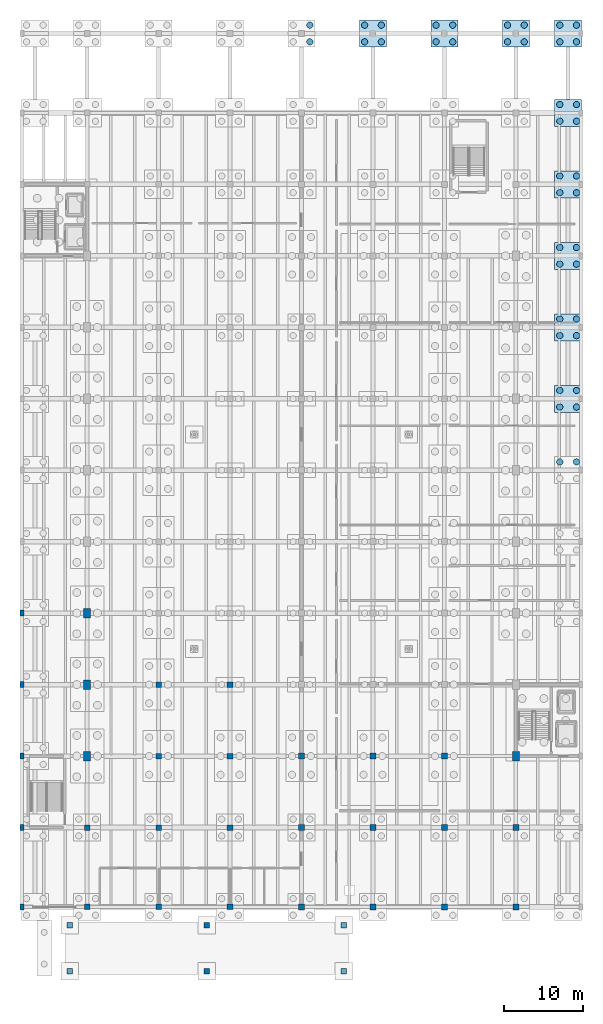
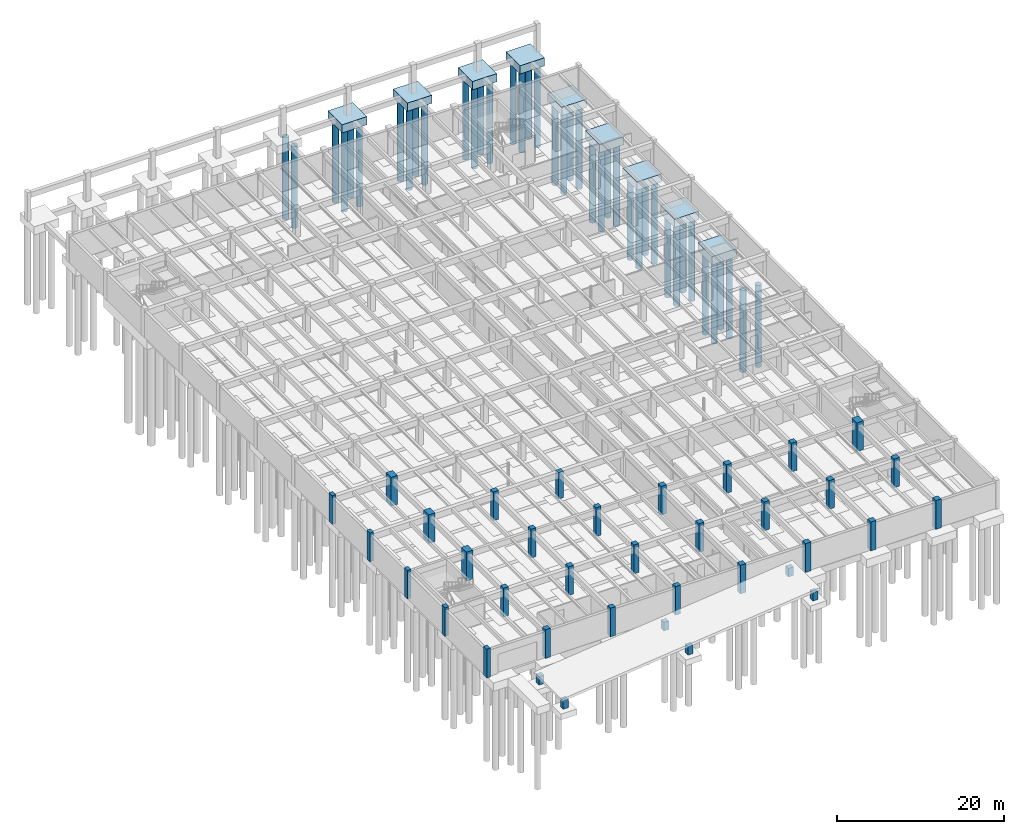
# One storey, part 5 of 23: 40 piles, 36 columns, 9 footings.
"""IFC4 building model written with IfcOpenShell, lengths in metres."""

from ifc_helpers import new_model, si_unit, direction, frame, origin, origin_2d, place, context, subcontext, project, spatial, polyline, rectangle, circle, outline, extrude, material, layer, layer_set, material_profile, profile_set, type_object, element, save


model = new_model("IFC4")

# Units and contexts
model_context = context("Model", 3, precision=1e-05, world=origin(), true_north=direction((0.0, 1.0)))
body_context = subcontext(model_context, "Body", "Model", "MODEL_VIEW")
ifc_project = project(units=[si_unit("LENGTHUNIT", "METRE"), si_unit("AREAUNIT", "SQUARE_METRE"), si_unit("VOLUMEUNIT", "CUBIC_METRE"), si_unit("PLANEANGLEUNIT", "RADIAN"), si_unit("MASSUNIT", "GRAM", prefix="KILO")], contexts=[model_context])

# Site, building, storey
site_placement = place(None, origin())
site = spatial("IfcSite", under=ifc_project, at=site_placement, CompositionType="ELEMENT")
building_placement = place(site_placement, origin())
building = spatial("IfcBuilding", under=site, at=building_placement, Name="Ornek Quay Market", CompositionType="ELEMENT")
storey_placement = place(building_placement, frame((0.0, 0.0, -4.199951171875)))
storey = spatial("IfcBuildingStorey", under=building, at=storey_placement, Name="B1", CompositionType="ELEMENT", Elevation=-4.199951171875)

# Footings
ifc_material_1 = material(Name="Concrete C35/45", Category="concrete")
ifc_layer = layer(ifc_material_1, 1.199951171875, Name="Concrete C35/45", Category="concrete")
ifc_layer_set = layer_set([ifc_layer], Name="Concrete C35/45")
footing_type = type_object("IfcFootingType", Name="FT-PC4-2800x2800x1200", PredefinedType="PILE_CAP", material=ifc_layer_set)
footing_1_placement = place(storey_placement, frame((0.0, 0.0, -1.199951171875)))
element("IfcFooting", 1, at=footing_1_placement, inside=storey, type_object=footing_type, Name="Pile cap FC-138", PredefinedType="PILE_CAP", context=body_context, shape_type="SweptSolid", body=[
    extrude(outline(polyline([(97.300048828125, 118.300048828125), (100.699951171875, 118.300048828125), (100.699951171875, 121.699951171875), (97.300048828125, 121.699951171875), (97.300048828125, 118.300048828125)])), origin(), (0.0, 0.0, 1.0), 1.199951171875),
])
footing_2_placement = place(storey_placement, frame((0.0, 0.0, -1.199951171875)))
element("IfcFooting", 2, at=footing_2_placement, inside=storey, type_object=footing_type, Name="Pile cap FC-151", PredefinedType="PILE_CAP", context=body_context, shape_type="SweptSolid", body=[
    extrude(outline(polyline([(106.300048828125, 118.300048828125), (109.699951171875, 118.300048828125), (109.699951171875, 121.699951171875), (106.300048828125, 121.699951171875), (106.300048828125, 118.300048828125)])), origin(), (0.0, 0.0, 1.0), 1.199951171875),
])
footing_3_placement = place(storey_placement, frame((0.0, 0.0, -1.199951171875)))
element("IfcFooting", 3, at=footing_3_placement, inside=storey, type_object=footing_type, Name="Pile cap FC-162", PredefinedType="PILE_CAP", context=body_context, shape_type="SweptSolid", body=[
    extrude(outline(polyline([(115.300048828125, 118.300048828125), (118.699951171875, 118.300048828125), (118.699951171875, 121.699951171875), (115.300048828125, 121.699951171875), (115.300048828125, 118.300048828125)])), origin(), (0.0, 0.0, 1.0), 1.199951171875),
])
footing_4_placement = place(storey_placement, frame((0.0, 0.0, -1.199951171875)))
element("IfcFooting", 4, at=footing_4_placement, inside=storey, type_object=footing_type, Name="Pile cap FC-168", PredefinedType="PILE_CAP", context=body_context, shape_type="SweptSolid", body=[
    extrude(outline(polyline([(121.8798828125, 72.300048828125), (125.280029296875, 72.300048828125), (125.280029296875, 75.699951171875), (121.8798828125, 75.699951171875), (121.8798828125, 72.300048828125)])), origin(), (0.0, 0.0, 1.0), 1.199951171875),
])
footing_5_placement = place(storey_placement, frame((0.0, 0.0, -1.199951171875)))
element("IfcFooting", 5, at=footing_5_placement, inside=storey, type_object=footing_type, Name="Pile cap FC-169", PredefinedType="PILE_CAP", context=body_context, shape_type="SweptSolid", body=[
    extrude(outline(polyline([(121.8798828125, 81.300048828125), (125.280029296875, 81.300048828125), (125.280029296875, 84.699951171875), (121.8798828125, 84.699951171875), (121.8798828125, 81.300048828125)])), origin(), (0.0, 0.0, 1.0), 1.199951171875),
])
footing_6_placement = place(storey_placement, frame((0.0, 0.0, -1.199951171875)))
element("IfcFooting", 6, at=footing_6_placement, inside=storey, type_object=footing_type, Name="Pile cap FC-170", PredefinedType="PILE_CAP", context=body_context, shape_type="SweptSolid", body=[
    extrude(outline(polyline([(121.8798828125, 90.300048828125), (125.280029296875, 90.300048828125), (125.280029296875, 93.699951171875), (121.8798828125, 93.699951171875), (121.8798828125, 90.300048828125)])), origin(), (0.0, 0.0, 1.0), 1.199951171875),
])
footing_7_placement = place(storey_placement, frame((0.0, 0.0, -1.199951171875)))
element("IfcFooting", 7, at=footing_7_placement, inside=storey, type_object=footing_type, Name="Pile cap FC-171", PredefinedType="PILE_CAP", context=body_context, shape_type="SweptSolid", body=[
    extrude(outline(polyline([(121.8798828125, 99.300048828125), (125.280029296875, 99.300048828125), (125.280029296875, 102.699951171875), (121.8798828125, 102.699951171875), (121.8798828125, 99.300048828125)])), origin(), (0.0, 0.0, 1.0), 1.199951171875),
])
footing_8_placement = place(storey_placement, frame((0.0, 0.0, -1.199951171875)))
element("IfcFooting", 8, at=footing_8_placement, inside=storey, type_object=footing_type, Name="Pile cap FC-172", PredefinedType="PILE_CAP", context=body_context, shape_type="SweptSolid", body=[
    extrude(outline(polyline([(121.8798828125, 108.300048828125), (125.280029296875, 108.300048828125), (125.280029296875, 111.699951171875), (121.8798828125, 111.699951171875), (121.8798828125, 108.300048828125)])), origin(), (0.0, 0.0, 1.0), 1.199951171875),
])
footing_9_placement = place(storey_placement, frame((0.0, 0.0, -1.199951171875)))
element("IfcFooting", 9, at=footing_9_placement, inside=storey, type_object=footing_type, Name="Pile cap FC-173", PredefinedType="PILE_CAP", context=body_context, shape_type="SweptSolid", body=[
    extrude(outline(polyline([(121.8798828125, 118.300048828125), (125.280029296875, 118.300048828125), (125.280029296875, 121.699951171875), (121.8798828125, 121.699951171875), (121.8798828125, 118.300048828125)])), origin(), (0.0, 0.0, 1.0), 1.199951171875),
])

# Piles
ifc_material_profile_1 = material_profile(ifc_material_1, circle(Radius=0.39990234375, at=origin_2d()), Name="PILE D800", Category="concrete")
ifc_profile_set_1 = profile_set([ifc_material_profile_1], Name="Concrete C35/45")
pile_type = type_object("IfcPileType", Name="PL-BOR-D800-L12", PredefinedType="BORED", material=ifc_profile_set_1)
for number, where, z_axis, x_axis, name in (
    (10, (91.050048828125, 118.949951171875, -1.10009765625), (0.0, 0.0, -1.0), (1.0, 0.0, 0.0), "Bored pile P-0546"),
    (11, (91.050048828125, 121.050048828125, -1.10009765625), (0.0, 0.0, -1.0), (1.0, 0.0, 0.0), "Bored pile P-0548"),
    (12, (97.949951171875, 118.949951171875, -1.10009765625), (0.0, 0.0, -1.0), (1.0, 0.0, 0.0), "Bored pile P-0591"),
    (13, (100.050048828125, 118.949951171875, -1.10009765625), (0.0, 0.0, -1.0), (1.0, 0.0, 0.0), "Bored pile P-0592"),
    (14, (97.949951171875, 121.050048828125, -1.10009765625), (0.0, 0.0, -1.0), (1.0, 0.0, 0.0), "Bored pile P-0593"),
    (15, (100.050048828125, 121.050048828125, -1.10009765625), (0.0, 0.0, -1.0), (1.0, 0.0, 0.0), "Bored pile P-0594"),
    (16, (106.949951171875, 118.949951171875, -1.10009765625), (0.0, 0.0, -1.0), (1.0, 0.0, 0.0), "Bored pile P-0659"),
    (17, (109.050048828125, 118.949951171875, -1.10009765625), (0.0, 0.0, -1.0), (1.0, 0.0, 0.0), "Bored pile P-0660"),
    (18, (106.949951171875, 121.050048828125, -1.10009765625), (0.0, 0.0, -1.0), (1.0, 0.0, 0.0), "Bored pile P-0661"),
    (19, (109.050048828125, 121.050048828125, -1.10009765625), (0.0, 0.0, -1.0), (1.0, 0.0, 0.0), "Bored pile P-0662"),
    (20, (115.949951171875, 118.949951171875, -1.10009765625), (0.0, 0.0, -1.0), (1.0, 0.0, 0.0), "Bored pile P-0715"),
    (21, (118.050048828125, 118.949951171875, -1.10009765625), (0.0, 0.0, -1.0), (1.0, 0.0, 0.0), "Bored pile P-0716"),
    (22, (115.949951171875, 121.050048828125, -1.10009765625), (0.0, 0.0, -1.0), (1.0, 0.0, 0.0), "Bored pile P-0717"),
    (23, (118.050048828125, 121.050048828125, -1.10009765625), (0.0, 0.0, -1.0), (1.0, 0.0, 0.0), "Bored pile P-0718"),
    (24, (122.530029296875, 66.050048828125, -1.10009765625), (0.0, 0.0, -1.0), (1.0, 0.0, 0.0), "Bored pile P-0737"),
    (25, (124.6298828125, 66.050048828125, -1.10009765625), (0.0, 0.0, -1.0), (1.0, 0.0, 0.0), "Bored pile P-0738"),
    (26, (122.530029296875, 72.949951171875, -1.10009765625), (0.0, 0.0, -1.0), (1.0, 0.0, 0.0), "Bored pile P-0739"),
    (27, (124.6298828125, 72.949951171875, -1.10009765625), (0.0, 0.0, -1.0), (1.0, 0.0, 0.0), "Bored pile P-0740"),
    (28, (122.530029296875, 75.050048828125, -1.10009765625), (0.0, 0.0, -1.0), (1.0, 0.0, 0.0), "Bored pile P-0741"),
    (29, (124.6298828125, 75.050048828125, -1.10009765625), (0.0, 0.0, -1.0), (1.0, 0.0, 0.0), "Bored pile P-0742"),
    (30, (122.530029296875, 81.949951171875, -1.10009765625), (0.0, 0.0, -1.0), (1.0, 0.0, 0.0), "Bored pile P-0743"),
    (31, (124.6298828125, 81.949951171875, -1.10009765625), (0.0, 0.0, -1.0), (1.0, 0.0, 0.0), "Bored pile P-0744"),
    (32, (122.530029296875, 84.050048828125, -1.10009765625), (0.0, 0.0, -1.0), (1.0, 0.0, 0.0), "Bored pile P-0745"),
    (33, (124.6298828125, 84.050048828125, -1.10009765625), (0.0, 0.0, -1.0), (1.0, 0.0, 0.0), "Bored pile P-0746"),
    (34, (122.530029296875, 90.949951171875, -1.10009765625), (0.0, 0.0, -1.0), (1.0, 0.0, 0.0), "Bored pile P-0747"),
    (35, (124.6298828125, 90.949951171875, -1.10009765625), (0.0, 0.0, -1.0), (1.0, 0.0, 0.0), "Bored pile P-0748"),
    (36, (122.530029296875, 93.050048828125, -1.10009765625), (0.0, 0.0, -1.0), (1.0, 0.0, 0.0), "Bored pile P-0749"),
    (37, (124.6298828125, 93.050048828125, -1.10009765625), (0.0, 0.0, -1.0), (1.0, 0.0, 0.0), "Bored pile P-0750"),
    (38, (122.530029296875, 99.949951171875, -1.10009765625), (0.0, 0.0, -1.0), (1.0, 0.0, 0.0), "Bored pile P-0751"),
    (39, (124.6298828125, 99.949951171875, -1.10009765625), (0.0, 0.0, -1.0), (1.0, 0.0, 0.0), "Bored pile P-0752"),
    (40, (122.530029296875, 102.050048828125, -1.10009765625), (0.0, 0.0, -1.0), (1.0, 0.0, 0.0), "Bored pile P-0753"),
    (41, (124.6298828125, 102.050048828125, -1.10009765625), (0.0, 0.0, -1.0), (1.0, 0.0, 0.0), "Bored pile P-0754"),
    (42, (122.530029296875, 108.949951171875, -1.10009765625), (0.0, 0.0, -1.0), (1.0, 0.0, 0.0), "Bored pile P-0755"),
    (43, (124.6298828125, 108.949951171875, -1.10009765625), (0.0, 0.0, -1.0), (1.0, 0.0, 0.0), "Bored pile P-0756"),
    (44, (122.530029296875, 111.050048828125, -1.10009765625), (0.0, 0.0, -1.0), (1.0, 0.0, 0.0), "Bored pile P-0757"),
    (45, (124.6298828125, 111.050048828125, -1.10009765625), (0.0, 0.0, -1.0), (1.0, 0.0, 0.0), "Bored pile P-0758"),
    (46, (122.530029296875, 118.949951171875, -1.10009765625), (0.0, 0.0, -1.0), (1.0, 0.0, 0.0), "Bored pile P-0759"),
    (47, (124.6298828125, 118.949951171875, -1.10009765625), (0.0, 0.0, -1.0), (1.0, 0.0, 0.0), "Bored pile P-0760"),
    (48, (122.530029296875, 121.050048828125, -1.10009765625), (0.0, 0.0, -1.0), (1.0, 0.0, 0.0), "Bored pile P-0761"),
    (49, (124.6298828125, 121.050048828125, -1.10009765625), (0.0, 0.0, -1.0), (1.0, 0.0, 0.0), "Bored pile P-0762"),
):
    element("IfcPile", number, at=place(storey_placement, frame(where, z_axis=z_axis, x_axis=x_axis)), inside=storey, type_object=pile_type, Name=name, PredefinedType="BORED", context=body_context, shape_type="SweptSolid", body=[
        extrude(circle(Radius=0.39990234375, at=origin_2d()), origin(), (0.0, 0.0, 1.0), 12.0),
    ])

# Columns
ifc_material_2 = material(Name="Concrete C45/55", Category="concrete")
ifc_material_profile_2 = material_profile(ifc_material_2, rectangle(XDim=0.89990234375, YDim=1.199951171875, at=origin_2d()), Name="RC 900x1200", Category="concrete")
ifc_profile_set_2 = profile_set([ifc_material_profile_2], Name="Concrete C45/55")
column_type_1 = type_object("IfcColumnType", Name="COL-ARCH-900x1200", PredefinedType="COLUMN", material=ifc_profile_set_2)
for number, where, z_axis, x_axis, name in (
    (50, (63.0, 29.0, 0.0), (0.0, 0.0, 1.0), (1.0, 0.0, 0.0), "Column C-AR1-001"),
    (51, (63.0, 38.0, 0.0), (0.0, 0.0, 1.0), (1.0, 0.0, 0.0), "Column C-AR1-005"),
    (52, (63.0, 47.0, 0.0), (0.0, 0.0, 1.0), (1.0, 0.0, 0.0), "Column C-AR1-006"),
    (53, (117.0, 29.0, 0.0), (0.0, 0.0, 1.0), (1.0, 0.0, 0.0), "Column C-AR1-015"),
):
    element("IfcColumn", number, at=place(storey_placement, frame(where, z_axis=z_axis, x_axis=x_axis)), inside=storey, type_object=column_type_1, Name=name, PredefinedType="COLUMN", context=body_context, shape_type="SweptSolid", body=[
        extrude(rectangle(XDim=0.89990234375, YDim=1.199951171875, at=origin_2d()), origin(), (0.0, 0.0, 1.0), 4.199951171875),
    ])
ifc_material_3 = material(Name="Concrete C40/50", Category="concrete")
ifc_material_profile_3 = material_profile(ifc_material_3, rectangle(XDim=0.699951171875, YDim=0.699951171875, at=origin_2d()), Name="RC 700x700", Category="concrete")
ifc_profile_set_3 = profile_set([ifc_material_profile_3], Name="Concrete C40/50")
column_type_2 = type_object("IfcColumnType", Name="COL-B1-700x700", PredefinedType="COLUMN", material=ifc_profile_set_3)
for number, where, z_axis, x_axis, name in (
    (54, (63.0, 10.0, 0.0), (0.0, 0.0, 1.0), (1.0, 0.0, 0.0), "Column C-B1B-001"),
    (55, (63.0, 20.0, 0.0), (0.0, 0.0, 1.0), (1.0, 0.0, 0.0), "Column C-B1B-002"),
    (56, (72.0, 10.0, 0.0), (0.0, 0.0, 1.0), (1.0, 0.0, 0.0), "Column C-B1B-006"),
    (57, (72.0, 20.0, 0.0), (0.0, 0.0, 1.0), (1.0, 0.0, 0.0), "Column C-B1B-007"),
    (58, (72.0, 29.0, 0.0), (0.0, 0.0, 1.0), (1.0, 0.0, 0.0), "Column C-B1B-008"),
    (59, (72.0, 38.0, 0.0), (0.0, 0.0, 1.0), (1.0, 0.0, 0.0), "Column C-B1B-009"),
    (60, (81.0, 10.0, 0.0), (0.0, 0.0, 1.0), (1.0, 0.0, 0.0), "Column C-B1B-019"),
    (61, (81.0, 20.0, 0.0), (0.0, 0.0, 1.0), (1.0, 0.0, 0.0), "Column C-B1B-020"),
    (62, (81.0, 29.0, 0.0), (0.0, 0.0, 1.0), (1.0, 0.0, 0.0), "Column C-B1B-021"),
):
    element("IfcColumn", number, at=place(storey_placement, frame(where, z_axis=z_axis, x_axis=x_axis)), inside=storey, type_object=column_type_2, Name=name, PredefinedType="COLUMN", context=body_context, shape_type="SweptSolid", body=[
        extrude(rectangle(XDim=0.699951171875, YDim=0.699951171875, at=origin_2d()), origin(), (0.0, 0.0, 1.0), 4.199951171875),
    ])
column_placement = place(storey_placement, frame((81.0, 38.0, 0.0), z_axis=(0.0, 0.0, 1.0), x_axis=(1.0, 0.0, 0.0)))
element("IfcColumn", 63, at=column_placement, inside=storey, type_object=column_type_2, Name="Column C-B1B-022", PredefinedType="COLUMN", context=body_context, shape_type="SweptSolid", body=[
    extrude(rectangle(XDim=0.699951171875, YDim=0.699951171875, at=origin_2d()), origin(), (0.0, 0.0, 1.0), 3.85986328125),
])
for number, where, z_axis, x_axis, name in (
    (64, (60.800048828125, 1.89990234375, -1.72998046875), (0.0, 0.0, 1.0), (1.0, 0.0, 0.0), "Vehicle ramp support pier CRV-01"),
    (65, (60.800048828125, 7.699951171875, -1.72998046875), (0.0, 0.0, 1.0), (1.0, 0.0, 0.0), "Vehicle ramp support pier CRV-02"),
    (66, (78.050048828125, 1.89990234375, 0.1298828125), (0.0, 0.0, 1.0), (1.0, 0.0, 0.0), "Vehicle ramp support pier CRV-03"),
    (67, (78.050048828125, 7.699951171875, 0.1298828125), (0.0, 0.0, 1.0), (1.0, 0.0, 0.0), "Vehicle ramp support pier CRV-04"),
    (68, (95.300048828125, 1.89990234375, 1.989990234375), (0.0, 0.0, 1.0), (1.0, 0.0, 0.0), "Vehicle ramp support pier CRV-05"),
    (69, (95.300048828125, 7.699951171875, 1.989990234375), (0.0, 0.0, 1.0), (1.0, 0.0, 0.0), "Vehicle ramp support pier CRV-06"),
):
    element("IfcColumn", number, at=place(storey_placement, frame(where, z_axis=z_axis, x_axis=x_axis)), inside=storey, type_object=column_type_2, Name=name, PredefinedType="COLUMN", context=body_context, shape_type="SweptSolid", body=[
        extrude(rectangle(XDim=0.699951171875, YDim=0.699951171875, at=origin_2d()), origin(), (0.0, 0.0, 1.0), 1.25),
    ])
ifc_material_profile_4 = material_profile(ifc_material_3, rectangle(XDim=0.75, YDim=0.75, at=origin_2d()), Name="RC 750x750", Category="concrete")
ifc_profile_set_4 = profile_set([ifc_material_profile_4], Name="Concrete C40/50")
column_type_3 = type_object("IfcColumnType", Name="COL-B1-750x750", PredefinedType="COLUMN", material=ifc_profile_set_4)
for number, where, z_axis, x_axis, name in (
    (70, (90.0, 10.0, 0.0), (0.0, 0.0, 1.0), (1.0, 0.0, 0.0), "Column C-B1A-001"),
    (71, (90.0, 20.0, 0.0), (0.0, 0.0, 1.0), (1.0, 0.0, 0.0), "Column C-B1A-002"),
    (72, (90.0, 29.0, 0.0), (0.0, 0.0, 1.0), (1.0, 0.0, 0.0), "Column C-B1A-003"),
    (73, (99.0, 10.0, 0.0), (0.0, 0.0, 1.0), (1.0, 0.0, 0.0), "Column C-B1A-013"),
    (74, (99.0, 20.0, 0.0), (0.0, 0.0, 1.0), (1.0, 0.0, 0.0), "Column C-B1A-014"),
    (75, (99.0, 29.0, 0.0), (0.0, 0.0, 1.0), (1.0, 0.0, 0.0), "Column C-B1A-015"),
    (76, (108.0, 10.0, 0.0), (0.0, 0.0, 1.0), (1.0, 0.0, 0.0), "Column C-B1A-025"),
    (77, (108.0, 20.0, 0.0), (0.0, 0.0, 1.0), (1.0, 0.0, 0.0), "Column C-B1A-026"),
    (78, (108.0, 29.0, 0.0), (0.0, 0.0, 1.0), (1.0, 0.0, 0.0), "Column C-B1A-027"),
    (79, (117.0, 10.0, 0.0), (0.0, 0.0, 1.0), (1.0, 0.0, 0.0), "Column C-B1A-037"),
    (80, (117.0, 20.0, 0.0), (0.0, 0.0, 1.0), (1.0, 0.0, 0.0), "Column C-B1A-038"),
):
    element("IfcColumn", number, at=place(storey_placement, frame(where, z_axis=z_axis, x_axis=x_axis)), inside=storey, type_object=column_type_3, Name=name, PredefinedType="COLUMN", context=body_context, shape_type="SweptSolid", body=[
        extrude(rectangle(XDim=0.75, YDim=0.75, at=origin_2d()), origin(), (0.0, 0.0, 1.0), 4.199951171875),
    ])
ifc_material_profile_5 = material_profile(ifc_material_3, rectangle(XDim=0.5, YDim=0.75, at=origin_2d()), Name="RC 500x750", Category="concrete")
ifc_profile_set_5 = profile_set([ifc_material_profile_5], Name="Concrete C40/50")
column_type_4 = type_object("IfcColumnType", Name="COL-MJ-500x750", PredefinedType="COLUMN", material=ifc_profile_set_5)
for number, where, z_axis, x_axis, name in (
    (81, (54.800048828125, 10.0, 0.0), (0.0, 0.0, 1.0), (1.0, 0.0, 0.0), "Column C-MJ1-006"),
    (82, (54.800048828125, 20.0, 0.0), (0.0, 0.0, 1.0), (1.0, 0.0, 0.0), "Column C-MJ1-008"),
    (83, (54.800048828125, 29.0, 0.0), (0.0, 0.0, 1.0), (1.0, 0.0, 0.0), "Column C-MJ1-010"),
    (84, (54.800048828125, 38.0, 0.0), (0.0, 0.0, 1.0), (1.0, 0.0, 0.0), "Column C-MJ1-012"),
    (85, (54.800048828125, 47.0, 0.0), (0.0, 0.0, 1.0), (1.0, 0.0, 0.0), "Column C-MJ1-014"),
):
    element("IfcColumn", number, at=place(storey_placement, frame(where, z_axis=z_axis, x_axis=x_axis)), inside=storey, type_object=column_type_4, Name=name, PredefinedType="COLUMN", context=body_context, shape_type="SweptSolid", body=[
        extrude(rectangle(XDim=0.5, YDim=0.75, at=origin_2d()), origin(), (0.0, 0.0, 1.0), 4.199951171875),
    ])

save(model, "model.ifc")
